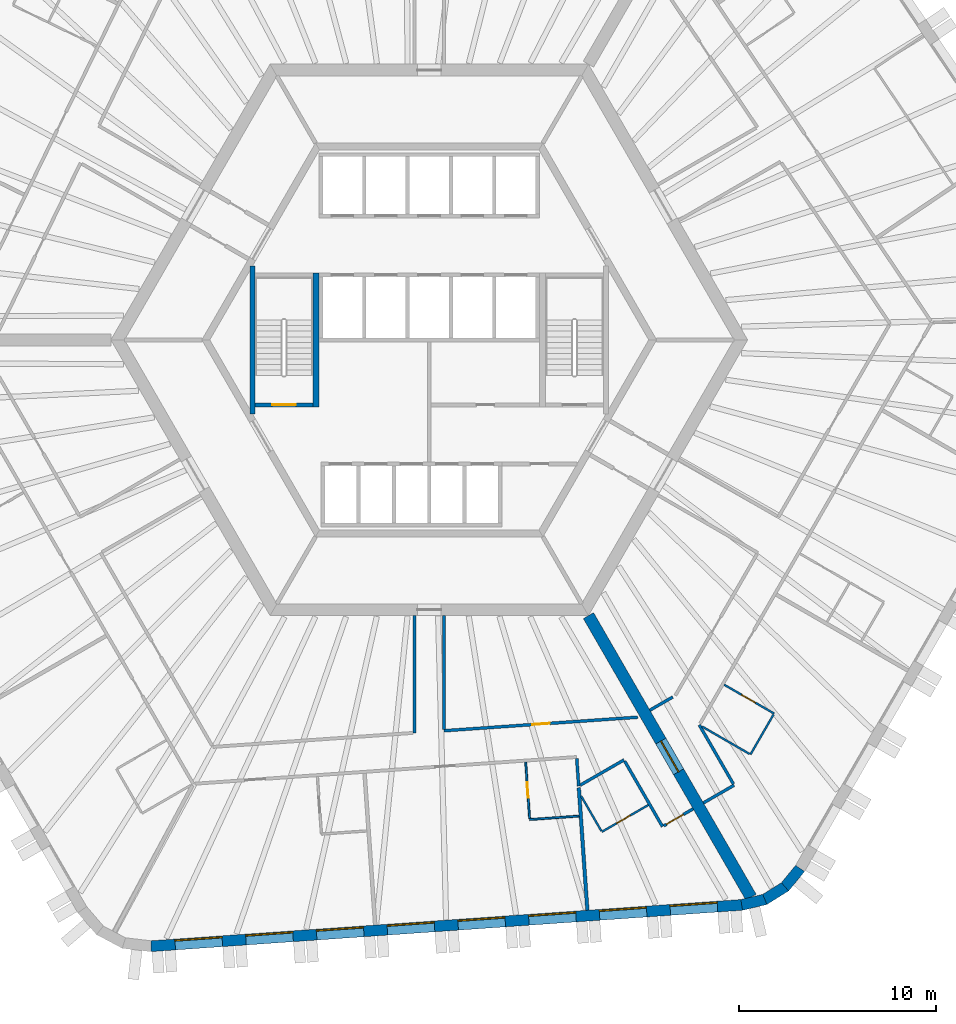
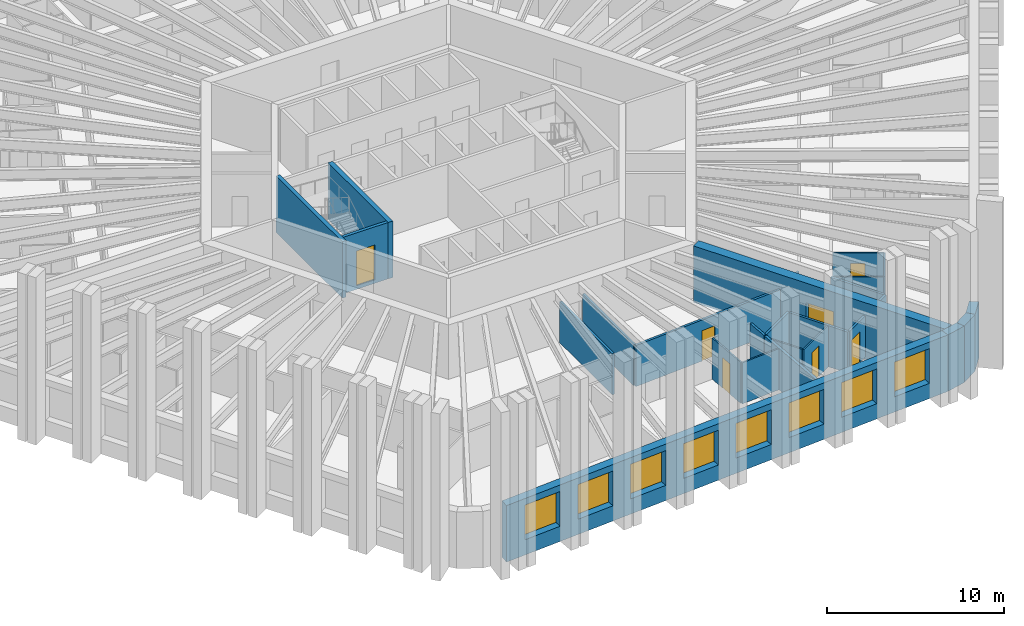
# One storey, part 4 of 13: 26 walls, 8 windows, 7 doors, 15 openings.
"""IFC4 building model written with IfcOpenShell, lengths in metres."""

from ifc_helpers import new_model, si_unit, direction, frame, frame_2d, origin, place, context, subcontext, project, spatial, polyline, rectangle, outline, extrude, material, layer, layer_set, type_object, element, fill, save


model = new_model("IFC4")

# Units and contexts
model_context = context("Model", 3, precision=1e-05, world=origin(), true_north=direction((0.0, 1.0)))
body_context = subcontext(model_context, "Body", "Model", "MODEL_VIEW")
ifc_project = project(units=[si_unit("LENGTHUNIT", "METRE"), si_unit("AREAUNIT", "SQUARE_METRE"), si_unit("VOLUMEUNIT", "CUBIC_METRE"), si_unit("PLANEANGLEUNIT", "RADIAN"), si_unit("MASSUNIT", "GRAM", prefix="KILO")], contexts=[model_context])

# Site, building, storey
site_placement = place(None, origin())
site = spatial("IfcSite", under=ifc_project, at=site_placement, CompositionType="ELEMENT")
building_placement = place(site_placement, origin())
building = spatial("IfcBuilding", under=site, at=building_placement, Name="Tarnside Tower", CompositionType="ELEMENT")
storey_placement = place(building_placement, frame((0.0, 0.0, 135.0)))
storey = spatial("IfcBuildingStorey", under=building, at=storey_placement, Name="L31", CompositionType="ELEMENT", Elevation=135.0)

# Wall
ifc_material_1 = material(Name="Gypsum board partition on steel studs", Category="steel")
ifc_layer_1 = layer(ifc_material_1, 0.10009765625)
ifc_layer_set_1 = layer_set([ifc_layer_1], Name="Bathroom wall 100")
wall_type_1 = type_object("IfcWallType", Name="Bathroom wall 100", PredefinedType="PARTITIONING", material=ifc_layer_set_1)
wall_1_placement = place(storey_placement, frame((7.60400390625, -24.178466796875, 0.0), z_axis=(0.0, 0.0, 1.0), x_axis=(-0.997565196586, -0.069740078583, 0.0)))
element("IfcWall", 1, at=wall_1_placement, inside=storey, type_object=wall_type_1, Name="Bathroom wall 10125", PredefinedType="PARTITIONING", context=body_context, shape_type="SweptSolid", body=[
    extrude(rectangle(XDim=2.510009765625, YDim=0.10009765625, at=frame_2d((1.2548828125, 0.0))), origin(), (0.0, 0.0, 1.0), 2.837890625),
])

# Wall, opening, door
wall_2_placement = place(storey_placement, frame((5.0966796875, -24.3037109375, 0.0), z_axis=(0.0, 0.0, 1.0), x_axis=(-0.069804620828, 0.99756068232, 0.0)))
wall_2 = element("IfcWall", 2, at=wall_2_placement, inside=storey, type_object=wall_type_1, Name="Bathroom wall 10126", PredefinedType="PARTITIONING", context=body_context, shape_type="SweptSolid", body=[
    extrude(rectangle(XDim=2.875, YDim=0.10009765625, at=frame_2d((1.4375, 0.0))), origin(), (0.0, 0.0, 1.0), 2.837890625),
])
opening_1_placement = place(wall_2_placement, frame((1.050048828125, 0.0, 0.0)))
opening_1 = element("IfcOpeningElement", 3, at=opening_1_placement, cuts=wall_2, Name="Opening D-B1", PredefinedType="OPENING", context=body_context, shape_type="SweptSolid", body=[
    extrude(rectangle(XDim=0.800048828125, YDim=2.10009765625, at=frame_2d((0.39990234375, 1.050048828125))), frame((0.0, 0.06005859375, 0.0), z_axis=(0.0, -1.0, 0.0), x_axis=(1.0, 0.0, 0.0)), (0.0, 0.0, 1.0), 0.1201171875),
])
ifc_material_2 = material(Name="Timber door leaf", Category="wood")
door_type_1 = type_object("IfcDoorType", Name="Bathroom door 800", OperationType="NOTDEFINED", PredefinedType="DOOR", material=ifc_material_2)
door_1_placement = place(opening_1_placement, origin())
door_1 = element("IfcDoor", 4, at=door_1_placement, inside=storey, type_object=door_type_1, Name="Bathroom door 10026", OperationType="SINGLE_SWING_RIGHT", OverallHeight=2.10009765625, OverallWidth=0.800048828125, PredefinedType="DOOR", context=body_context, shape_type="SweptSolid", body=[
    extrude(rectangle(XDim=0.800048828125, YDim=2.10009765625, at=frame_2d((0.39990234375, 1.050048828125))), frame((0.0, 0.02490234375, 0.0), z_axis=(0.0, -1.0, 0.0), x_axis=(1.0, 0.0, 0.0)), (0.0, 0.0, 1.0), 0.050048828125),
])
fill(opening_1, door_1)

wall_3_placement = place(storey_placement, frame((11.123291015625, -23.615966796875, 0.0), z_axis=(0.0, 0.0, 1.0), x_axis=(-0.866034909742, -0.499983534837, 0.0)))
wall_3 = element("IfcWall", 5, at=wall_3_placement, inside=storey, type_object=wall_type_1, Name="Bathroom wall 10130", PredefinedType="PARTITIONING", context=body_context, shape_type="SweptSolid", body=[
    extrude(rectangle(XDim=2.72509765625, YDim=0.10009765625, at=frame_2d((1.362548828125, 0.0))), origin(), (0.0, 0.0, 1.0), 2.837890625),
])
opening_2_placement = place(wall_3_placement, frame((1.06494140625, 0.0, 0.0)))
opening_2 = element("IfcOpeningElement", 6, at=opening_2_placement, cuts=wall_3, Name="Opening D-B1", PredefinedType="OPENING", context=body_context, shape_type="SweptSolid", body=[
    extrude(rectangle(XDim=0.800048828125, YDim=2.10009765625, at=frame_2d((0.39990234375, 1.050048828125))), frame((0.0, 0.06005859375, 0.0), z_axis=(0.0, -1.0, 0.0), x_axis=(1.0, 0.0, 0.0)), (0.0, 0.0, 1.0), 0.1201171875),
])
door_2_placement = place(opening_2_placement, origin())
door_2 = element("IfcDoor", 7, at=door_2_placement, inside=storey, type_object=door_type_1, Name="Bathroom door 10028", OperationType="SINGLE_SWING_LEFT", OverallHeight=2.10009765625, OverallWidth=0.800048828125, PredefinedType="DOOR", context=body_context, shape_type="SweptSolid", body=[
    extrude(rectangle(XDim=0.800048828125, YDim=2.10009765625, at=frame_2d((0.39990234375, 1.050048828125))), frame((0.0, 0.02490234375, 0.0), z_axis=(0.0, -1.0, 0.0), x_axis=(1.0, 0.0, 0.0)), (0.0, 0.0, 1.0), 0.050048828125),
])
fill(opening_2, door_2)

# Wall
wall_4_placement = place(storey_placement, frame((8.73828125, -24.93505859375, 0.0), z_axis=(0.0, 0.0, 1.0), x_axis=(-0.500045446624, 0.865999163574, 0.0)))
element("IfcWall", 8, at=wall_4_placement, inside=storey, type_object=wall_type_1, Name="Bathroom wall 10131", PredefinedType="PARTITIONING", context=body_context, shape_type="SweptSolid", body=[
    extrude(rectangle(XDim=2.050048828125, YDim=0.10009765625, at=frame_2d((1.02490234375, 0.0))), origin(), (0.0, 0.0, 1.0), 2.837890625),
])

# Wall, opening, door
wall_5_placement = place(storey_placement, frame((14.97705078125, -17.509033203125, 0.0), z_axis=(0.0, 0.0, 1.0), x_axis=(0.866046596414, -0.499963291492, 0.0)))
wall_5 = element("IfcWall", 9, at=wall_5_placement, inside=storey, type_object=wall_type_1, Name="Bathroom wall 10132", PredefinedType="PARTITIONING", context=body_context, shape_type="SweptSolid", body=[
    extrude(rectangle(XDim=2.925048828125, YDim=0.10009765625, at=frame_2d((1.46240234375, 0.0))), origin(), (0.0, 0.0, 1.0), 2.837890625),
])
opening_3_placement = place(wall_5_placement, frame((1.02490234375, 0.0, 0.0)))
opening_3 = element("IfcOpeningElement", 10, at=opening_3_placement, cuts=wall_5, Name="Opening D-B1", PredefinedType="OPENING", context=body_context, shape_type="SweptSolid", body=[
    extrude(rectangle(XDim=0.800048828125, YDim=2.10009765625, at=frame_2d((0.39990234375, 1.050048828125))), frame((0.0, 0.06005859375, 0.0), z_axis=(0.0, -1.0, 0.0), x_axis=(1.0, 0.0, 0.0)), (0.0, 0.0, 1.0), 0.1201171875),
])
door_3_placement = place(opening_3_placement, origin())
door_3 = element("IfcDoor", 11, at=door_3_placement, inside=storey, type_object=door_type_1, Name="Bathroom door 10030", OperationType="SINGLE_SWING_RIGHT", OverallHeight=2.10009765625, OverallWidth=0.800048828125, PredefinedType="DOOR", context=body_context, shape_type="SweptSolid", body=[
    extrude(rectangle(XDim=0.800048828125, YDim=2.10009765625, at=frame_2d((0.39990234375, 1.050048828125))), frame((0.0, 0.02490234375, 0.0), z_axis=(0.0, -1.0, 0.0), x_axis=(1.0, 0.0, 0.0)), (0.0, 0.0, 1.0), 0.050048828125),
])
fill(opening_3, door_3)

# Walls
wall_6_placement = place(storey_placement, frame((17.485107421875, -19.014892578125, 0.0), z_axis=(0.0, 0.0, 1.0), x_axis=(-0.500016218704, -0.866016039709, 0.0)))
element("IfcWall", 12, at=wall_6_placement, inside=storey, type_object=wall_type_1, Name="Bathroom wall 10133", PredefinedType="PARTITIONING", context=body_context, shape_type="SweptSolid", body=[
    extrude(rectangle(XDim=2.35009765625, YDim=0.10009765625, at=frame_2d((1.175048828125, 0.0))), origin(), (0.0, 0.0, 1.0), 2.837890625),
])
wall_7_placement = place(storey_placement, frame((16.266845703125, -21.02490234375, 0.0), z_axis=(0.0, 0.0, 1.0), x_axis=(-0.866034573852, 0.49998411664, 0.0)))
element("IfcWall", 13, at=wall_7_placement, inside=storey, type_object=wall_type_1, Name="Bathroom wall 10134", PredefinedType="PARTITIONING", context=body_context, shape_type="SweptSolid", body=[
    extrude(rectangle(XDim=2.7998046875, YDim=0.10009765625, at=frame_2d((1.39990234375, 0.0))), origin(), (0.0, 0.0, 1.0), 2.837890625),
])

# Wall, opening, door
ifc_material_3 = material(Name="Concrete C80/95", Category="concrete")
ifc_layer_2 = layer(ifc_material_3, 0.60009765625)
ifc_layer_set_2 = layer_set([ifc_layer_2], Name="Core wall Z1 600 C80/95")
wall_type_2 = type_object("IfcWallType", Name="Core wall Z1 600 C80/95", PredefinedType="SHEAR", material=ifc_layer_set_2)
wall_8_placement = place(storey_placement, frame((8.0830078125, -14.0, -0.14990234375), z_axis=(0.0, 0.0, 1.0), x_axis=(0.499997680643, -0.866026742862, 0.0)))
wall_8 = element("IfcWall", 14, at=wall_8_placement, inside=storey, type_object=wall_type_2, Name="L31 spine wall 3", PredefinedType="SHEAR", context=body_context, shape_type="SweptSolid", body=[
    extrude(rectangle(XDim=16.5087890625, YDim=0.60009765625, at=frame_2d((8.25439453125, 0.0))), origin(), (0.0, 0.0, 1.0), 3.89990234375),
])
opening_4_placement = place(wall_8_placement, frame((7.3544921875, 0.0, 0.14990234375)))
opening_4 = element("IfcOpeningElement", 15, at=opening_4_placement, cuts=wall_8, Name="Opening CD-SPN", PredefinedType="OPENING", context=body_context, shape_type="SweptSolid", body=[
    extrude(rectangle(XDim=1.800048828125, YDim=2.39990234375, at=frame_2d((0.89990234375, 1.199951171875))), frame((0.0, 0.31005859375, 0.0), z_axis=(0.0, -1.0, 0.0), x_axis=(1.0, 0.0, 0.0)), (0.0, 0.0, 1.0), 0.6201171875),
])
ifc_material_4 = material(Name="Steel fire door", Category="steel")
door_type_2 = type_object("IfcDoorType", Name="Spine passage double door FD60 1800x2400", OperationType="NOTDEFINED", PredefinedType="DOOR", material=ifc_material_4)
door_4_placement = place(opening_4_placement, origin())
door_4 = element("IfcDoor", 16, at=door_4_placement, inside=storey, type_object=door_type_2, Name="L31 spine passage door 3", OperationType="DOUBLE_DOOR_SINGLE_SWING", OverallHeight=2.39990234375, OverallWidth=1.800048828125, PredefinedType="DOOR", context=body_context, shape_type="SweptSolid", body=[
    extrude(rectangle(XDim=1.800048828125, YDim=2.39990234375, at=frame_2d((0.89990234375, 1.199951171875))), frame((0.0, 0.02490234375, 0.0), z_axis=(0.0, -1.0, 0.0), x_axis=(1.0, 0.0, 0.0)), (0.0, 0.0, 1.0), 0.050048828125),
])
fill(opening_4, door_4)

# Walls
ifc_layer_3 = layer(ifc_material_1, 0.14990234375)
ifc_layer_set_3 = layer_set([ifc_layer_3], Name="Corridor wall 150 EI 60")
wall_type_3 = type_object("IfcWallType", Name="Corridor wall 150 EI 60", PredefinedType="PARTITIONING", material=ifc_layer_set_3)
wall_9_placement = place(storey_placement, frame((7.48974609375, -21.25439453125, 0.0), z_axis=(0.0, 0.0, 1.0), x_axis=(0.069718673592, -0.997566692784, 0.0)))
element("IfcWall", 17, at=wall_9_placement, inside=storey, type_object=wall_type_3, Name="Corridor wall 10037", PredefinedType="PARTITIONING", context=body_context, shape_type="SweptSolid", body=[
    extrude(rectangle(XDim=1.40771484375, YDim=0.14990234375, at=frame_2d((0.703857421875, 0.0))), origin(), (0.0, 0.0, 1.0), 2.837890625),
])
wall_10_placement = place(storey_placement, frame((9.925537109375, -21.391845703125, 0.0), z_axis=(0.0, 0.0, 1.0), x_axis=(0.500031306162, -0.866007328409, 0.0)))
element("IfcWall", 18, at=wall_10_placement, inside=storey, type_object=wall_type_3, Name="Corridor wall 10038", PredefinedType="PARTITIONING", context=body_context, shape_type="SweptSolid", body=[
    extrude(rectangle(XDim=3.831787109375, YDim=0.14990234375, at=frame_2d((1.916015625, 0.0))), origin(), (0.0, 0.0, 1.0), 2.837890625),
])

# Wall, opening, door
wall_11_placement = place(storey_placement, frame((11.906494140625, -24.672607421875, 0.0), z_axis=(0.0, 0.0, 1.0), x_axis=(0.866013532718, 0.500020560727, 0.0)))
wall_11 = element("IfcWall", 19, at=wall_11_placement, inside=storey, type_object=wall_type_3, Name="Corridor wall 10039", PredefinedType="PARTITIONING", context=body_context, shape_type="SweptSolid", body=[
    extrude(rectangle(XDim=1.72509765625, YDim=0.14990234375, at=frame_2d((0.862548828125, 0.0))), origin(), (0.0, 0.0, 1.0), 2.837890625),
])
opening_5_placement = place(wall_11_placement, frame((0.14990234375, 0.0, 0.0)))
opening_5 = element("IfcOpeningElement", 20, at=opening_5_placement, cuts=wall_11, Name="Opening D-E1", PredefinedType="OPENING", context=body_context, shape_type="SweptSolid", body=[
    extrude(rectangle(XDim=1.0, YDim=2.10009765625, at=frame_2d((0.5, 1.050048828125))), frame((0.0, 0.0849609375, 0.0), z_axis=(0.0, -1.0, 0.0), x_axis=(1.0, 0.0, 0.0)), (0.0, 0.0, 1.0), 0.169921875),
])
door_type_3 = type_object("IfcDoorType", Name="Unit entrance door 1000 FD30S", OperationType="NOTDEFINED", PredefinedType="DOOR", material=ifc_material_2)
door_5_placement = place(opening_5_placement, origin())
door_5 = element("IfcDoor", 21, at=door_5_placement, inside=storey, type_object=door_type_3, Name="Unit door 10027", OperationType="SINGLE_SWING_RIGHT", OverallHeight=2.10009765625, OverallWidth=1.0, PredefinedType="DOOR", context=body_context, shape_type="SweptSolid", body=[
    extrude(rectangle(XDim=1.0, YDim=2.10009765625, at=frame_2d((0.5, 1.050048828125))), frame((0.0, 0.02490234375, 0.0), z_axis=(0.0, -1.0, 0.0), x_axis=(1.0, 0.0, 0.0)), (0.0, 0.0, 1.0), 0.050048828125),
])
fill(opening_5, door_5)

# Walls
wall_12_placement = place(storey_placement, frame((7.659912109375, -22.61328125, 0.0), z_axis=(0.0, 0.0, 1.0), x_axis=(0.866003870164, 0.500037295471, 0.0)))
element("IfcWall", 22, at=wall_12_placement, inside=storey, type_object=wall_type_3, Name="Corridor wall 10040", PredefinedType="PARTITIONING", context=body_context, shape_type="SweptSolid", body=[
    extrude(rectangle(XDim=2.572998046875, YDim=0.14990234375, at=frame_2d((1.28662109375, 0.0))), origin(), (0.0, 0.0, 1.0), 2.837890625),
])
wall_13_placement = place(storey_placement, frame((-0.75, -14.0, 0.0), z_axis=(0.0, 0.0, 1.0), x_axis=(0.0, -1.0, 0.0)))
element("IfcWall", 23, at=wall_13_placement, inside=storey, type_object=wall_type_3, Name="Corridor wall 10045", PredefinedType="PARTITIONING", context=body_context, shape_type="SweptSolid", body=[
    extrude(rectangle(XDim=5.950927734375, YDim=0.14990234375, at=frame_2d((2.9755859375, 0.0))), origin(), (0.0, 0.0, 1.0), 2.837890625),
])

# Wall, opening, door
wall_14_placement = place(storey_placement, frame((10.58740234375, -19.158203125, 0.0), z_axis=(0.0, 0.0, 1.0), x_axis=(-0.997565137136, -0.069740928955, 0.0)))
wall_14 = element("IfcWall", 24, at=wall_14_placement, inside=storey, type_object=wall_type_3, Name="Corridor wall 10049", PredefinedType="PARTITIONING", context=body_context, shape_type="SweptSolid", body=[
    extrude(rectangle(XDim=9.861328125, YDim=0.14990234375, at=frame_2d((4.9306640625, 0.0))), origin(), (0.0, 0.0, 1.0), 2.837890625),
])
opening_6_placement = place(wall_14_placement, frame((4.480712890625, 0.0, 0.0)))
opening_6 = element("IfcOpeningElement", 25, at=opening_6_placement, cuts=wall_14, Name="Opening D-S1", PredefinedType="OPENING", context=body_context, shape_type="SweptSolid", body=[
    extrude(rectangle(XDim=0.89990234375, YDim=2.10009765625, at=frame_2d((0.449951171875, 1.050048828125))), frame((0.0, 0.0849609375, 0.0), z_axis=(0.0, -1.0, 0.0), x_axis=(1.0, 0.0, 0.0)), (0.0, 0.0, 1.0), 0.169921875),
])
door_type_4 = type_object("IfcDoorType", Name="Service room door 900 FD30S", OperationType="NOTDEFINED", PredefinedType="DOOR", material=ifc_material_2)
door_6_placement = place(opening_6_placement, origin())
door_6 = element("IfcDoor", 26, at=door_6_placement, inside=storey, type_object=door_type_4, Name="Service door 10047", OperationType="SINGLE_SWING_RIGHT", OverallHeight=2.10009765625, OverallWidth=0.89990234375, PredefinedType="DOOR", context=body_context, shape_type="SweptSolid", body=[
    extrude(rectangle(XDim=0.89990234375, YDim=2.10009765625, at=frame_2d((0.449951171875, 1.050048828125))), frame((0.0, 0.02490234375, 0.0), z_axis=(0.0, -1.0, 0.0), x_axis=(1.0, 0.0, 0.0)), (0.0, 0.0, 1.0), 0.050048828125),
])
fill(opening_6, door_6)

# Walls
wall_15_placement = place(storey_placement, frame((0.75, -19.770751953125, 0.0), z_axis=(0.0, 0.0, 1.0), x_axis=(0.0, 1.0, 0.0)))
element("IfcWall", 27, at=wall_15_placement, inside=storey, type_object=wall_type_3, Name="Corridor wall 10050", PredefinedType="PARTITIONING", context=body_context, shape_type="SweptSolid", body=[
    extrude(rectangle(XDim=5.770751953125, YDim=0.14990234375, at=frame_2d((2.88525390625, 0.0))), origin(), (0.0, 0.0, 1.0), 2.837890625),
])
wall_16_placement = place(storey_placement, frame((13.919921875, -23.510009765625, 0.0), z_axis=(0.0, 0.0, 1.0), x_axis=(0.866047807691, 0.499961193289, 0.0)))
element("IfcWall", 28, at=wall_16_placement, inside=storey, type_object=wall_type_3, Name="Corridor wall 10051", PredefinedType="PARTITIONING", context=body_context, shape_type="SweptSolid", body=[
    extrude(rectangle(XDim=1.800048828125, YDim=0.14990234375, at=frame_2d((0.89990234375, 0.0))), origin(), (0.0, 0.0, 1.0), 2.837890625),
])
wall_17_placement = place(storey_placement, frame((15.44140625, -22.545166015625, 0.0), z_axis=(0.0, 0.0, 1.0), x_axis=(-0.500003541824, 0.866023358902, 0.0)))
element("IfcWall", 29, at=wall_17_placement, inside=storey, type_object=wall_type_3, Name="Corridor wall 10052", PredefinedType="PARTITIONING", context=body_context, shape_type="SweptSolid", body=[
    extrude(rectangle(XDim=3.45849609375, YDim=0.14990234375, at=frame_2d((1.729248046875, 0.0))), origin(), (0.0, 0.0, 1.0), 2.837890625),
])
wall_18_placement = place(storey_placement, frame((12.3662109375, -18.131103515625, 0.0), z_axis=(0.0, 0.0, 1.0), x_axis=(-0.866043397086, -0.499968833392, 0.0)))
element("IfcWall", 30, at=wall_18_placement, inside=storey, type_object=wall_type_3, Name="Corridor wall 10073", PredefinedType="PARTITIONING", context=body_context, shape_type="SweptSolid", body=[
    extrude(rectangle(XDim=1.34375, YDim=0.14990234375, at=frame_2d((0.671875, 0.0))), origin(), (0.0, 0.0, 1.0), 2.837890625),
])
ifc_layer_4 = layer(ifc_material_1, 0.179931640625)
ifc_layer_set_4 = layer_set([ifc_layer_4], Name="Demising wall 180 EI 60")
wall_type_4 = type_object("IfcWallType", Name="Demising wall 180 EI 60", PredefinedType="PARTITIONING", material=ifc_layer_set_4)
wall_19_placement = place(storey_placement, frame((8.028564453125, -28.96044921875, 0.0), z_axis=(0.0, 0.0, 1.0), x_axis=(-0.069750446855, 0.997564471683, 0.0)))
element("IfcWall", 31, at=wall_19_placement, inside=storey, type_object=wall_type_4, Name="Demising wall 10127", PredefinedType="PARTITIONING", context=body_context, shape_type="SweptSolid", body=[
    extrude(rectangle(XDim=6.2373046875, YDim=0.179931640625, at=frame_2d((3.11865234375, 0.0))), origin(), (0.0, 0.0, 1.0), 2.837890625),
])

# Wall, opening, door
ifc_material_5 = material(Name="Concrete C40/50", Category="concrete")
ifc_layer_5 = layer(ifc_material_5, 0.199951171875)
ifc_layer_set_5 = layer_set([ifc_layer_5], Name="Lift shaft wall 200 C40/50")
wall_type_5 = type_object("IfcWallType", Name="Lift shaft wall 200 C40/50", PredefinedType="SHEAR", material=ifc_layer_set_5)
wall_20_placement = place(storey_placement, frame((-8.85009765625, -3.300048828125, -0.25), z_axis=(0.0, 0.0, 1.0), x_axis=(1.0, 0.0, 0.0)))
wall_20 = element("IfcWall", 32, at=wall_20_placement, inside=storey, type_object=wall_type_5, Name="L31 stair 2 enclosure cap wall s", PredefinedType="SHEAR", context=body_context, shape_type="SweptSolid", body=[
    extrude(rectangle(XDim=2.9501953125, YDim=0.199951171875, at=frame_2d((1.47509765625, 0.0))), origin(), (0.0, 0.0, 1.0), 3.89990234375),
])
opening_7_placement = place(wall_20_placement, frame((0.875, 0.0, 0.25)))
opening_7 = element("IfcOpeningElement", 33, at=opening_7_placement, cuts=wall_20, Name="Opening CD-STR", PredefinedType="OPENING", context=body_context, shape_type="SweptSolid", body=[
    extrude(rectangle(XDim=1.199951171875, YDim=2.39990234375, at=frame_2d((0.60009765625, 1.199951171875))), frame((0.0, 0.10986328125, 0.0), z_axis=(0.0, -1.0, 0.0), x_axis=(1.0, 0.0, 0.0)), (0.0, 0.0, 1.0), 0.219970703125),
])
door_type_5 = type_object("IfcDoorType", Name="Stair door FD60S 1200x2400", OperationType="NOTDEFINED", PredefinedType="DOOR", material=ifc_material_4)
door_7_placement = place(opening_7_placement, origin())
door_7 = element("IfcDoor", 34, at=door_7_placement, inside=storey, type_object=door_type_5, Name="L31 stair 2 door", OperationType="SINGLE_SWING_LEFT", OverallHeight=2.39990234375, OverallWidth=1.199951171875, PredefinedType="DOOR", context=body_context, shape_type="SweptSolid", body=[
    extrude(rectangle(XDim=1.199951171875, YDim=2.39990234375, at=frame_2d((0.60009765625, 1.199951171875))), frame((0.0, 0.02490234375, 0.0), z_axis=(0.0, -1.0, 0.0), x_axis=(1.0, 0.0, 0.0)), (0.0, 0.0, 1.0), 0.050048828125),
])
fill(opening_7, door_7)

# Walls
ifc_layer_6 = layer(ifc_material_5, 0.25)
ifc_layer_set_6 = layer_set([ifc_layer_6], Name="Stair enclosure wall 250 C40/50")
wall_type_6 = type_object("IfcWallType", Name="Stair enclosure wall 250 C40/50", PredefinedType="SHEAR", material=ifc_layer_set_6)
wall_21_placement = place(storey_placement, frame((-8.97509765625, -3.7548828125, -0.25), z_axis=(0.0, 0.0, 1.0), x_axis=(0.0, 1.0, 0.0)))
element("IfcWall", 35, at=wall_21_placement, inside=storey, type_object=wall_type_6, Name="L31 stair 2 enclosure wall outer", PredefinedType="SHEAR", context=body_context, shape_type="SweptSolid", body=[
    extrude(rectangle(XDim=7.509765625, YDim=0.25, at=frame_2d((3.7548828125, 0.0))), origin(), (0.0, 0.0, 1.0), 3.89990234375),
])
ifc_layer_7 = layer(ifc_material_5, 0.300048828125)
ifc_layer_set_7 = layer_set([ifc_layer_7], Name="Stair enclosure wall 300 C40/50")
wall_type_7 = type_object("IfcWallType", Name="Stair enclosure wall 300 C40/50", PredefinedType="SHEAR", material=ifc_layer_set_7)
wall_22_placement = place(storey_placement, frame((-5.75, -3.39990234375, -0.25), z_axis=(0.0, 0.0, 1.0), x_axis=(0.0, 1.0, 0.0)))
element("IfcWall", 36, at=wall_22_placement, inside=storey, type_object=wall_type_7, Name="L31 stair 2 enclosure wall inner", PredefinedType="SHEAR", context=body_context, shape_type="SweptSolid", body=[
    extrude(rectangle(XDim=6.7998046875, YDim=0.300048828125, at=frame_2d((3.39990234375, 0.0))), origin(), (0.0, 0.0, 1.0), 3.89990234375),
])

# Wall, openings, windows
ifc_material_6 = material(Name="Facing brick", Category="masonry")
ifc_layer_8 = layer(ifc_material_6, 0.10205078125)
ifc_material_7 = material(Name="Concrete C60/75 precast", Category="concrete")
ifc_layer_9 = layer(ifc_material_7, 0.347900390625)
ifc_material_8 = material(Name="Mineral wool insulation")
ifc_layer_10 = layer(ifc_material_8, 0.10009765625)
ifc_layer_set_8 = layer_set([ifc_layer_8, ifc_layer_9, ifc_layer_10], Name="Tube wall 550 brick faced")
wall_type_8 = type_object("IfcWallType", Name="Tube wall 550 brick faced", PredefinedType="SOLIDWALL", material=ifc_layer_set_8)
wall_23_placement = place(storey_placement, frame((-14.133544921875, -30.785888671875, -0.14990234375), z_axis=(0.0, 0.0, 1.0), x_axis=(0.997564037441, 0.069756657061, 0.0)))
wall_23 = element("IfcWall", 37, at=wall_23_placement, inside=storey, type_object=wall_type_8, Name="Tube wall L31 F4 flush 12", PredefinedType="SOLIDWALL", context=body_context, shape_type="SweptSolid", body=[
    extrude(outline(polyline([(-0.025634765625, -0.27490234375), (30.093505859375, -0.27490234375), (30.048583984375, 0.27490234375), (0.025634765625, 0.27490234375), (-0.025634765625, -0.27490234375)])), origin(), (0.0, 0.0, 1.0), 3.89990234375),
])
opening_8_placement = place(wall_23_placement, frame((1.235595703125, 0.0, 1.050048828125)))
opening_8 = element("IfcOpeningElement", 38, at=opening_8_placement, cuts=wall_23, Name="Opening WH", PredefinedType="OPENING", context=body_context, shape_type="SweptSolid", body=[
    extrude(rectangle(XDim=2.39990234375, YDim=2.39990234375, at=frame_2d((1.199951171875, 1.199951171875))), frame((0.0, 0.28515625, 0.0), z_axis=(0.0, -1.0, 0.0), x_axis=(1.0, 0.0, 0.0)), (0.0, 0.0, 1.0), 0.570068359375),
])
opening_9_placement = place(wall_23_placement, frame((4.83544921875, 0.0, 1.050048828125)))
opening_9 = element("IfcOpeningElement", 39, at=opening_9_placement, cuts=wall_23, Name="Opening WH", PredefinedType="OPENING", context=body_context, shape_type="SweptSolid", body=[
    extrude(rectangle(XDim=2.39990234375, YDim=2.39990234375, at=frame_2d((1.199951171875, 1.199951171875))), frame((0.0, 0.28515625, 0.0), z_axis=(0.0, -1.0, 0.0), x_axis=(1.0, 0.0, 0.0)), (0.0, 0.0, 1.0), 0.570068359375),
])
opening_10_placement = place(wall_23_placement, frame((8.435546875, 0.0, 1.050048828125)))
opening_10 = element("IfcOpeningElement", 40, at=opening_10_placement, cuts=wall_23, Name="Opening WH", PredefinedType="OPENING", context=body_context, shape_type="SweptSolid", body=[
    extrude(rectangle(XDim=2.39990234375, YDim=2.39990234375, at=frame_2d((1.199951171875, 1.199951171875))), frame((0.0, 0.28515625, 0.0), z_axis=(0.0, -1.0, 0.0), x_axis=(1.0, 0.0, 0.0)), (0.0, 0.0, 1.0), 0.570068359375),
])
opening_11_placement = place(wall_23_placement, frame((12.035400390625, 0.0, 1.050048828125)))
opening_11 = element("IfcOpeningElement", 41, at=opening_11_placement, cuts=wall_23, Name="Opening WH", PredefinedType="OPENING", context=body_context, shape_type="SweptSolid", body=[
    extrude(rectangle(XDim=2.39990234375, YDim=2.39990234375, at=frame_2d((1.199951171875, 1.199951171875))), frame((0.0, 0.28515625, 0.0), z_axis=(0.0, -1.0, 0.0), x_axis=(1.0, 0.0, 0.0)), (0.0, 0.0, 1.0), 0.570068359375),
])
opening_12_placement = place(wall_23_placement, frame((15.635498046875, 0.0, 1.050048828125)))
opening_12 = element("IfcOpeningElement", 42, at=opening_12_placement, cuts=wall_23, Name="Opening WH", PredefinedType="OPENING", context=body_context, shape_type="SweptSolid", body=[
    extrude(rectangle(XDim=2.39990234375, YDim=2.39990234375, at=frame_2d((1.199951171875, 1.199951171875))), frame((0.0, 0.28515625, 0.0), z_axis=(0.0, -1.0, 0.0), x_axis=(1.0, 0.0, 0.0)), (0.0, 0.0, 1.0), 0.570068359375),
])
opening_13_placement = place(wall_23_placement, frame((19.235595703125, 0.0, 1.050048828125)))
opening_13 = element("IfcOpeningElement", 43, at=opening_13_placement, cuts=wall_23, Name="Opening WH", PredefinedType="OPENING", context=body_context, shape_type="SweptSolid", body=[
    extrude(rectangle(XDim=2.39990234375, YDim=2.39990234375, at=frame_2d((1.199951171875, 1.199951171875))), frame((0.0, 0.28515625, 0.0), z_axis=(0.0, -1.0, 0.0), x_axis=(1.0, 0.0, 0.0)), (0.0, 0.0, 1.0), 0.570068359375),
])
opening_14_placement = place(wall_23_placement, frame((22.83544921875, 0.0, 1.050048828125)))
opening_14 = element("IfcOpeningElement", 44, at=opening_14_placement, cuts=wall_23, Name="Opening WH", PredefinedType="OPENING", context=body_context, shape_type="SweptSolid", body=[
    extrude(rectangle(XDim=2.39990234375, YDim=2.39990234375, at=frame_2d((1.199951171875, 1.199951171875))), frame((0.0, 0.28515625, 0.0), z_axis=(0.0, -1.0, 0.0), x_axis=(1.0, 0.0, 0.0)), (0.0, 0.0, 1.0), 0.570068359375),
])
opening_15_placement = place(wall_23_placement, frame((26.435546875, 0.0, 1.050048828125)))
opening_15 = element("IfcOpeningElement", 45, at=opening_15_placement, cuts=wall_23, Name="Opening WH", PredefinedType="OPENING", context=body_context, shape_type="SweptSolid", body=[
    extrude(rectangle(XDim=2.39990234375, YDim=2.39990234375, at=frame_2d((1.199951171875, 1.199951171875))), frame((0.0, 0.28515625, 0.0), z_axis=(0.0, -1.0, 0.0), x_axis=(1.0, 0.0, 0.0)), (0.0, 0.0, 1.0), 0.570068359375),
])
ifc_material_9 = material(Name="Aluminium-framed double glazing", Category="aluminium")
window_type = type_object("IfcWindowType", Name="Hotel window 2400 x 2400", PartitioningType="DOUBLE_PANEL_VERTICAL", PredefinedType="WINDOW", material=ifc_material_9)
window_1_placement = place(opening_8_placement, frame((0.0, 0.205078125, 0.0)))
window_1 = element("IfcWindow", 46, at=window_1_placement, inside=storey, type_object=window_type, Name="E.WN.L31.F4.00", OverallHeight=2.39990234375, OverallWidth=2.39990234375, PartitioningType="DOUBLE_PANEL_VERTICAL", PredefinedType="WINDOW", context=body_context, shape_type="SweptSolid", body=[
    extrude(rectangle(XDim=2.39990234375, YDim=2.39990234375, at=frame_2d((1.199951171875, 1.199951171875))), frame((0.0, 0.030029296875, 0.0), z_axis=(0.0, -1.0, 0.0), x_axis=(1.0, 0.0, 0.0)), (0.0, 0.0, 1.0), 0.06005859375),
])
fill(opening_8, window_1)
window_2_placement = place(opening_9_placement, frame((0.0, 0.205078125, 0.0)))
window_2 = element("IfcWindow", 47, at=window_2_placement, inside=storey, type_object=window_type, Name="E.WN.L31.F4.01", OverallHeight=2.39990234375, OverallWidth=2.39990234375, PartitioningType="DOUBLE_PANEL_VERTICAL", PredefinedType="WINDOW", context=body_context, shape_type="SweptSolid", body=[
    extrude(rectangle(XDim=2.39990234375, YDim=2.39990234375, at=frame_2d((1.199951171875, 1.199951171875))), frame((0.0, 0.030029296875, 0.0), z_axis=(0.0, -1.0, 0.0), x_axis=(1.0, 0.0, 0.0)), (0.0, 0.0, 1.0), 0.06005859375),
])
fill(opening_9, window_2)
window_3_placement = place(opening_10_placement, frame((0.0, 0.205078125, 0.0)))
window_3 = element("IfcWindow", 48, at=window_3_placement, inside=storey, type_object=window_type, Name="E.WN.L31.F4.02", OverallHeight=2.39990234375, OverallWidth=2.39990234375, PartitioningType="DOUBLE_PANEL_VERTICAL", PredefinedType="WINDOW", context=body_context, shape_type="SweptSolid", body=[
    extrude(rectangle(XDim=2.39990234375, YDim=2.39990234375, at=frame_2d((1.199951171875, 1.199951171875))), frame((0.0, 0.030029296875, 0.0), z_axis=(0.0, -1.0, 0.0), x_axis=(1.0, 0.0, 0.0)), (0.0, 0.0, 1.0), 0.06005859375),
])
fill(opening_10, window_3)
window_4_placement = place(opening_11_placement, frame((0.0, 0.205078125, 0.0)))
window_4 = element("IfcWindow", 49, at=window_4_placement, inside=storey, type_object=window_type, Name="E.WN.L31.F4.03", OverallHeight=2.39990234375, OverallWidth=2.39990234375, PartitioningType="DOUBLE_PANEL_VERTICAL", PredefinedType="WINDOW", context=body_context, shape_type="SweptSolid", body=[
    extrude(rectangle(XDim=2.39990234375, YDim=2.39990234375, at=frame_2d((1.199951171875, 1.199951171875))), frame((0.0, 0.030029296875, 0.0), z_axis=(0.0, -1.0, 0.0), x_axis=(1.0, 0.0, 0.0)), (0.0, 0.0, 1.0), 0.06005859375),
])
fill(opening_11, window_4)
window_5_placement = place(opening_12_placement, frame((0.0, 0.205078125, 0.0)))
window_5 = element("IfcWindow", 50, at=window_5_placement, inside=storey, type_object=window_type, Name="E.WN.L31.F4.04", OverallHeight=2.39990234375, OverallWidth=2.39990234375, PartitioningType="DOUBLE_PANEL_VERTICAL", PredefinedType="WINDOW", context=body_context, shape_type="SweptSolid", body=[
    extrude(rectangle(XDim=2.39990234375, YDim=2.39990234375, at=frame_2d((1.199951171875, 1.199951171875))), frame((0.0, 0.030029296875, 0.0), z_axis=(0.0, -1.0, 0.0), x_axis=(1.0, 0.0, 0.0)), (0.0, 0.0, 1.0), 0.06005859375),
])
fill(opening_12, window_5)
window_6_placement = place(opening_13_placement, frame((0.0, 0.205078125, 0.0)))
window_6 = element("IfcWindow", 51, at=window_6_placement, inside=storey, type_object=window_type, Name="E.WN.L31.F4.05", OverallHeight=2.39990234375, OverallWidth=2.39990234375, PartitioningType="DOUBLE_PANEL_VERTICAL", PredefinedType="WINDOW", context=body_context, shape_type="SweptSolid", body=[
    extrude(rectangle(XDim=2.39990234375, YDim=2.39990234375, at=frame_2d((1.199951171875, 1.199951171875))), frame((0.0, 0.030029296875, 0.0), z_axis=(0.0, -1.0, 0.0), x_axis=(1.0, 0.0, 0.0)), (0.0, 0.0, 1.0), 0.06005859375),
])
fill(opening_13, window_6)
window_7_placement = place(opening_14_placement, frame((0.0, 0.205078125, 0.0)))
window_7 = element("IfcWindow", 52, at=window_7_placement, inside=storey, type_object=window_type, Name="E.WN.L31.F4.06", OverallHeight=2.39990234375, OverallWidth=2.39990234375, PartitioningType="DOUBLE_PANEL_VERTICAL", PredefinedType="WINDOW", context=body_context, shape_type="SweptSolid", body=[
    extrude(rectangle(XDim=2.39990234375, YDim=2.39990234375, at=frame_2d((1.199951171875, 1.199951171875))), frame((0.0, 0.030029296875, 0.0), z_axis=(0.0, -1.0, 0.0), x_axis=(1.0, 0.0, 0.0)), (0.0, 0.0, 1.0), 0.06005859375),
])
fill(opening_14, window_7)
window_8_placement = place(opening_15_placement, frame((0.0, 0.205078125, 0.0)))
window_8 = element("IfcWindow", 53, at=window_8_placement, inside=storey, type_object=window_type, Name="E.WN.L31.F4.07", OverallHeight=2.39990234375, OverallWidth=2.39990234375, PartitioningType="DOUBLE_PANEL_VERTICAL", PredefinedType="WINDOW", context=body_context, shape_type="SweptSolid", body=[
    extrude(rectangle(XDim=2.39990234375, YDim=2.39990234375, at=frame_2d((1.199951171875, 1.199951171875))), frame((0.0, 0.030029296875, 0.0), z_axis=(0.0, -1.0, 0.0), x_axis=(1.0, 0.0, 0.0)), (0.0, 0.0, 1.0), 0.06005859375),
])
fill(opening_15, window_8)

# Walls
wall_24_placement = place(storey_placement, frame((15.8642578125, -28.688232421875, -0.14990234375), z_axis=(0.0, 0.0, 1.0), x_axis=(0.973063591128, 0.230536868247, 0.0)))
element("IfcWall", 54, at=wall_24_placement, inside=storey, type_object=wall_type_8, Name="Tube wall L31 F4 chord 13", PredefinedType="SOLIDWALL", context=body_context, shape_type="SweptSolid", body=[
    extrude(outline(polyline([(-0.0224609375, -0.27490234375), (1.25341796875, -0.27490234375), (1.1630859375, 0.27490234375), (0.0224609375, 0.27490234375), (-0.0224609375, -0.27490234375)])), origin(), (0.0, 0.0, 1.0), 3.89990234375),
])
wall_25_placement = place(storey_placement, frame((17.0400390625, -28.40966796875, -0.14990234375), z_axis=(0.0, 0.0, 1.0), x_axis=(0.847952888306, 0.530071598195, 0.0)))
element("IfcWall", 55, at=wall_25_placement, inside=storey, type_object=wall_type_8, Name="Tube wall L31 F4 chord 14", PredefinedType="SOLIDWALL", context=body_context, shape_type="SweptSolid", body=[
    extrude(outline(polyline([(-0.045166015625, -0.27490234375), (1.253173828125, -0.27490234375), (1.162841796875, 0.27490234375), (0.045166015625, 0.27490234375), (-0.045166015625, -0.27490234375)])), origin(), (0.0, 0.0, 1.0), 3.89990234375),
])
wall_26_placement = place(storey_placement, frame((18.064453125, -27.769287109375, -0.14990234375), z_axis=(0.0, 0.0, 1.0), x_axis=(0.633842757806, 0.773461930787, 0.0)))
element("IfcWall", 56, at=wall_26_placement, inside=storey, type_object=wall_type_8, Name="Tube wall L31 F4 chord 15", PredefinedType="SOLIDWALL", context=body_context, shape_type="SweptSolid", body=[
    extrude(outline(polyline([(-0.045166015625, -0.27490234375), (1.230712890625, -0.27490234375), (1.185791015625, 0.27490234375), (0.045166015625, 0.27490234375), (-0.045166015625, -0.27490234375)])), origin(), (0.0, 0.0, 1.0), 3.89990234375),
])

save(model, "model.ifc")
